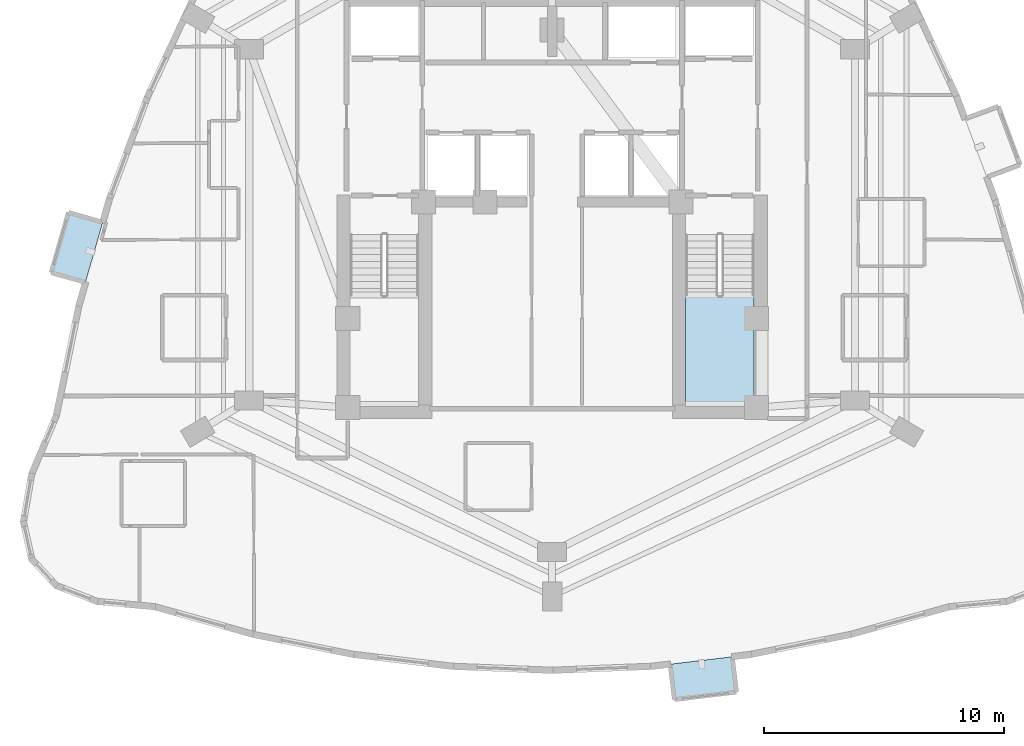
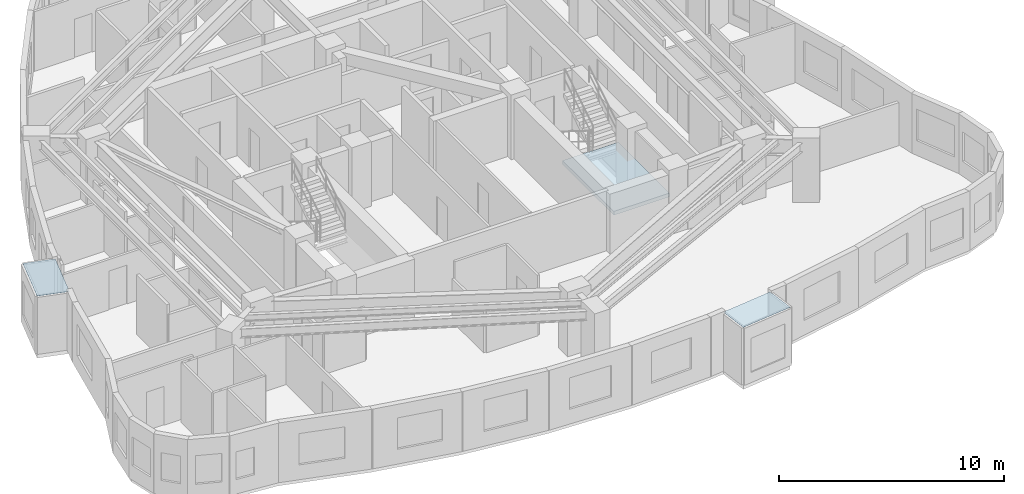
# One storey, part 3 of 14: 2 plates, 1 slab, 1 element without a shape of its own.
"""IFC4 building model written with IfcOpenShell, lengths in metres."""

from ifc_helpers import new_model, si_unit, direction, frame, origin, place, context, subcontext, project, spatial, polyline, outline, extrude, material, layer, layer_set, type_object, element, aggregate, save


model = new_model("IFC4")

# Units and contexts
model_context = context("Model", 3, precision=1e-05, world=origin(), true_north=direction((0.0, 1.0)))
body_context = subcontext(model_context, "Body", "Model", "MODEL_VIEW")
ifc_project = project(units=[si_unit("LENGTHUNIT", "METRE"), si_unit("AREAUNIT", "SQUARE_METRE"), si_unit("VOLUMEUNIT", "CUBIC_METRE"), si_unit("PLANEANGLEUNIT", "RADIAN"), si_unit("MASSUNIT", "GRAM", prefix="KILO")], contexts=[model_context])

# Site, building, storey
site_placement = place(None, origin())
site = spatial("IfcSite", under=ifc_project, at=site_placement, CompositionType="ELEMENT")
building_placement = place(site_placement, origin())
building = spatial("IfcBuilding", under=site, at=building_placement, Name="Miruveldt Soraemaru", CompositionType="ELEMENT")
storey_placement = place(building_placement, frame((0.0, 0.0, 117.89990234375)))
storey = spatial("IfcBuildingStorey", under=building, at=storey_placement, Name="L32", CompositionType="ELEMENT", Elevation=117.89990234375)

# Plates
ifc_material_1 = material(Name="Standing-seam titanium-zinc sheet", Category="aluminium")
ifc_layer_1 = layer(ifc_material_1, 0.011962890625, Name="Standing-seam titanium-zinc sheet", Category="aluminium")
ifc_layer_set_1 = layer_set([ifc_layer_1], Name="Standing-seam titanium-zinc sheet")
plate_type = type_object("IfcPlateType", Name="PLT-ZINC-12", PredefinedType="SHEET", material=ifc_layer_set_1)
plate_1_placement = place(storey_placement, frame((0.0, 0.0, 3.085205078125)))
element("IfcPlate", 1, at=plate_1_placement, inside=storey, type_object=plate_type, Name="L32 Bay Window Zinc Hood Sheet 1", PredefinedType="SHEET", context=body_context, shape_type="SweptSolid", body=[
    extrude(outline(polyline([(25.308349609375, 43.205078125), (24.593505859375, 40.705322265625), (23.17041015625, 41.1123046875), (23.88525390625, 43.612060546875), (25.308349609375, 43.205078125)])), origin(), (0.0, 0.0, 1.0), 0.011962890625),
])
plate_2_placement = place(storey_placement, frame((0.0, 0.0, 3.085205078125)))
element("IfcPlate", 2, at=plate_2_placement, inside=storey, type_object=plate_type, Name="L32 Bay Window Zinc Hood Sheet 2", PredefinedType="SHEET", context=body_context, shape_type="SweptSolid", body=[
    extrude(outline(polyline([(48.90869140625, 24.8291015625), (51.490234375, 25.138916015625), (51.66650390625, 23.66943359375), (49.085205078125, 23.359619140625), (48.90869140625, 24.8291015625)])), origin(), (0.0, 0.0, 1.0), 0.011962890625),
])

# Stair, slab
ifc_material_2 = material(Name="Concrete C40/50 (40 MPa)", Category="concrete")
stair_type = type_object("IfcStairType", Name="STAIR-DL-350", PredefinedType="HALF_TURN_STAIR", material=ifc_material_2)
stair_placement = place(storey_placement, origin())
stair = element("IfcStair", 3, at=stair_placement, inside=storey, type_object=stair_type, Name="L32 Protected Exit Stair ST-2", PredefinedType="HALF_TURN_STAIR")
ifc_layer_2 = layer(ifc_material_2, 0.199951171875, Name="Concrete C40/50 (40 MPa)", Category="concrete")
ifc_layer_set_2 = layer_set([ifc_layer_2], Name="Concrete C40/50 (40 MPa)")
slab_type = type_object("IfcSlabType", Name="SLAB-LAND-200", PredefinedType="LANDING", material=ifc_layer_set_2)
slab_placement = place(storey_placement, frame((0.0, 0.0, 1.550048828125)))
slab = element("IfcSlab", 4, at=slab_placement, type_object=slab_type, Name="ST-2 landing 1", PredefinedType="LANDING", context=body_context, shape_type="SweptSolid", body=[
    extrude(outline(polyline([(49.550048828125, 40.197998046875), (49.550048828125, 35.64990234375), (52.39990234375, 35.64990234375), (52.39990234375, 40.197998046875), (49.550048828125, 40.197998046875)])), origin(), (0.0, 0.0, 1.0), 0.199951171875),
])
aggregate(stair, [slab])

save(model, "model.ifc")
